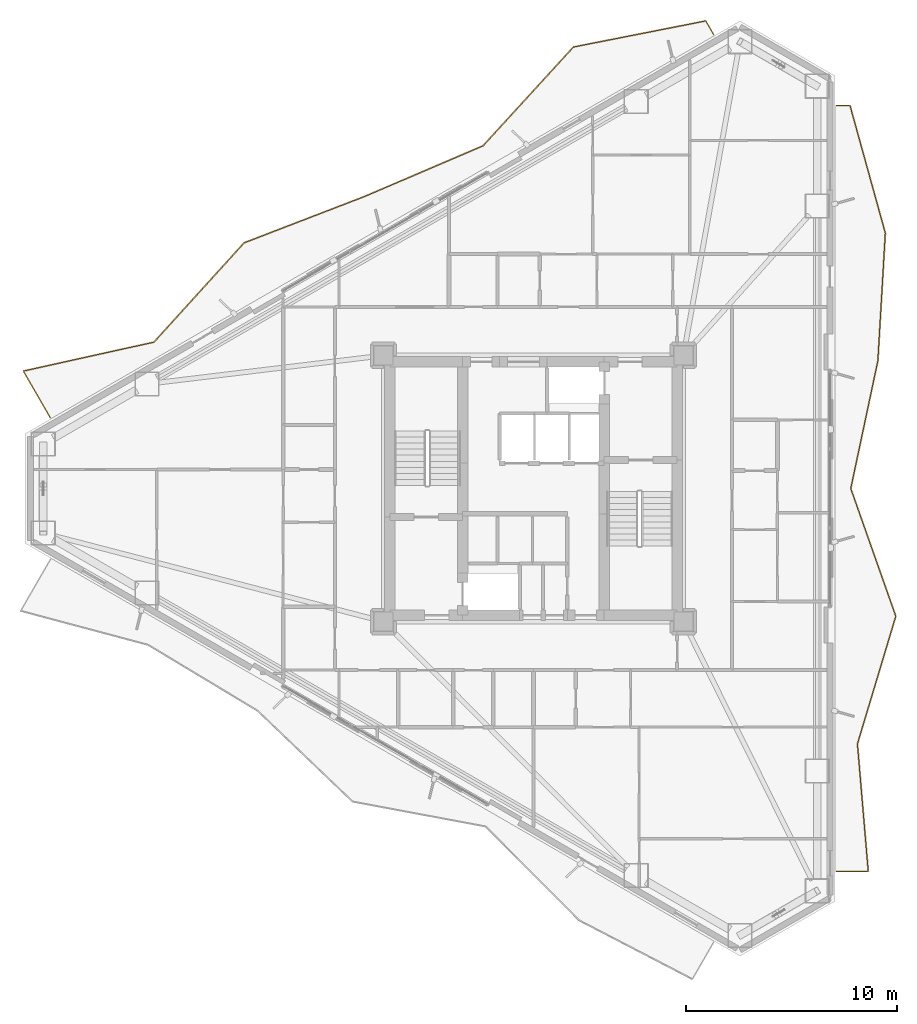
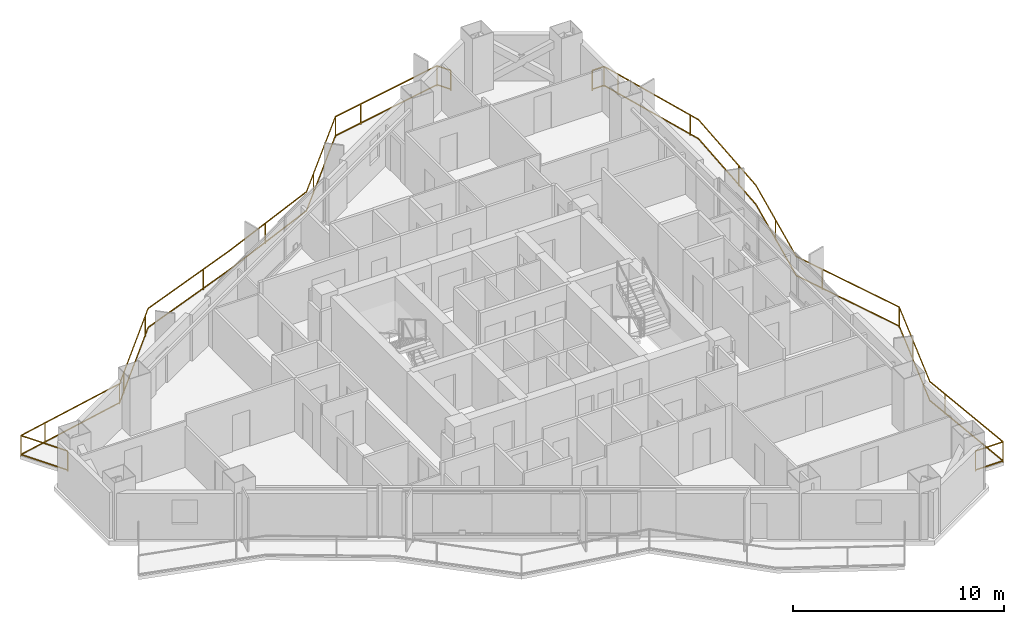
# One storey, part 23 of 23: 2 railings.
"""IFC4 building model written with IfcOpenShell, lengths in metres."""

from ifc_helpers import new_model, si_unit, direction, frame, origin, origin_2d, place, context, subcontext, project, spatial, rectangle, extrude, material, type_object, element, save


model = new_model("IFC4")

# Units and contexts
model_context = context("Model", 3, precision=1e-05, world=origin(), true_north=direction((0.0, 1.0)))
body_context = subcontext(model_context, "Body", "Model", "MODEL_VIEW")
ifc_project = project(units=[si_unit("LENGTHUNIT", "METRE"), si_unit("AREAUNIT", "SQUARE_METRE"), si_unit("VOLUMEUNIT", "CUBIC_METRE"), si_unit("PLANEANGLEUNIT", "RADIAN"), si_unit("MASSUNIT", "GRAM", prefix="KILO")], contexts=[model_context])

# Site, building, storey
site_placement = place(None, origin())
site = spatial("IfcSite", under=ifc_project, at=site_placement, CompositionType="ELEMENT")
building_placement = place(site_placement, origin())
building = spatial("IfcBuilding", under=site, at=building_placement, Name="Mersakhor Tower and Convention Hall", CompositionType="ELEMENT")
storey_placement = place(building_placement, frame((0.0, 0.0, 73.5)))
storey = spatial("IfcBuildingStorey", under=building, at=storey_placement, Name="L19", CompositionType="ELEMENT", Elevation=73.5)

# Railings
ifc_material = material(Name="Powder-coated galvanised steel and laminated glass balustrade", Category="steel")
railing_type = type_object("IfcRailingType", Name="RL-BAL-1200", PredefinedType="BALUSTRADE", material=ifc_material)
railing_1_placement = place(storey_placement, frame((37.541259765625, 48.2333984375, 0.0)))
element("IfcRailing", 1, at=railing_1_placement, inside=storey, type_object=railing_type, Name="L19 Sinusoidal Balcony Balustrade F1", PredefinedType="BALUSTRADE", context=body_context, shape_type="SweptSolid", body=[
    extrude(rectangle(XDim=0.048095703125, YDim=0.048095703125, at=origin_2d()), frame((0.0, 0.0, 1.17578125), z_axis=(-0.499852814723, 0.866110364569, 0.0), x_axis=(-0.866110364569, -0.499852814723, 0.0)), (0.0, 0.0, 1.0), 0.756591796875),
    extrude(rectangle(XDim=0.048095703125, YDim=0.048095703125, at=origin_2d()), frame((0.0, 0.0, 0.080078125), z_axis=(-0.499852814723, 0.866110364569, 0.0), x_axis=(-0.866110364569, -0.499852814723, 0.0)), (0.0, 0.0, 1.0), 0.756591796875),
    extrude(rectangle(XDim=0.048095703125, YDim=0.048095703125, at=origin_2d()), frame((-0.378173828125, 0.6552734375, 1.17578125), z_axis=(-0.981104772998, -0.193477193491, 0.0), x_axis=(0.193477193491, -0.981104772998, 0.0)), (0.0, 0.0, 1.0), 6.388671875),
    extrude(rectangle(XDim=0.048095703125, YDim=0.048095703125, at=origin_2d()), frame((-0.378173828125, 0.6552734375, 0.080078125), z_axis=(-0.981104772998, -0.193477193491, 0.0), x_axis=(0.193477193491, -0.981104772998, 0.0)), (0.0, 0.0, 1.0), 6.388671875),
    extrude(rectangle(XDim=0.048095703125, YDim=0.048095703125, at=origin_2d()), frame((-6.646240234375, -0.580810546875, 1.17578125), z_axis=(-0.675032190369, -0.737788277194, 0.0), x_axis=(0.737788277194, -0.675032190369, 0.0)), (0.0, 0.0, 1.0), 6.34130859375),
    extrude(rectangle(XDim=0.048095703125, YDim=0.048095703125, at=origin_2d()), frame((-6.646240234375, -0.580810546875, 0.080078125), z_axis=(-0.675032190369, -0.737788277194, 0.0), x_axis=(0.737788277194, -0.675032190369, 0.0)), (0.0, 0.0, 1.0), 6.34130859375),
    extrude(rectangle(XDim=0.048095703125, YDim=0.048095703125, at=origin_2d()), frame((-10.9267578125, -5.25927734375, 1.17578125), z_axis=(-0.919426820008, -0.393261137987, 0.0), x_axis=(0.393261137987, -0.919426820008, 0.0)), (0.0, 0.0, 1.0), 6.089599609375),
    extrude(rectangle(XDim=0.048095703125, YDim=0.048095703125, at=origin_2d()), frame((-10.9267578125, -5.25927734375, 0.080078125), z_axis=(-0.919426820008, -0.393261137987, 0.0), x_axis=(0.393261137987, -0.919426820008, 0.0)), (0.0, 0.0, 1.0), 6.089599609375),
    extrude(rectangle(XDim=0.048095703125, YDim=0.048095703125, at=origin_2d()), frame((-16.525634765625, -7.654052734375, 1.17578125), z_axis=(-0.933249966247, -0.3592276444, 0.0), x_axis=(0.3592276444, -0.933249966247, 0.0)), (0.0, 0.0, 1.0), 6.12060546875),
    extrude(rectangle(XDim=0.048095703125, YDim=0.048095703125, at=origin_2d()), frame((-16.525634765625, -7.654052734375, 0.080078125), z_axis=(-0.933249966247, -0.3592276444, 0.0), x_axis=(0.3592276444, -0.933249966247, 0.0)), (0.0, 0.0, 1.0), 6.12060546875),
    extrude(rectangle(XDim=0.048095703125, YDim=0.048095703125, at=origin_2d()), frame((-22.23779296875, -9.852783203125, 1.17578125), z_axis=(-0.672293710713, -0.740284517288, 0.0), x_axis=(0.740284517288, -0.672293710713, 0.0)), (0.0, 0.0, 1.0), 6.3486328125),
    extrude(rectangle(XDim=0.048095703125, YDim=0.048095703125, at=origin_2d()), frame((-22.23779296875, -9.852783203125, 0.080078125), z_axis=(-0.672293710713, -0.740284517288, 0.0), x_axis=(0.740284517288, -0.672293710713, 0.0)), (0.0, 0.0, 1.0), 6.3486328125),
    extrude(rectangle(XDim=0.048095703125, YDim=0.048095703125, at=origin_2d()), frame((-26.505859375, -14.552490234375, 1.17578125), z_axis=(-0.976273065037, -0.216543073043, 0.0), x_axis=(0.216543073043, -0.976273065037, 0.0)), (0.0, 0.0, 1.0), 6.339599609375),
    extrude(rectangle(XDim=0.048095703125, YDim=0.048095703125, at=origin_2d()), frame((-26.505859375, -14.552490234375, 0.080078125), z_axis=(-0.976273065037, -0.216543073043, 0.0), x_axis=(0.216543073043, -0.976273065037, 0.0)), (0.0, 0.0, 1.0), 6.339599609375),
    extrude(rectangle(XDim=0.048095703125, YDim=0.048095703125, at=origin_2d()), frame((-32.695068359375, -15.92529296875, 1.17578125), z_axis=(0.499981548585, -0.866036056452, 0.0), x_axis=(0.866036056452, 0.499981548585, 0.0)), (0.0, 0.0, 1.0), 2.5556640625),
    extrude(rectangle(XDim=0.048095703125, YDim=0.048095703125, at=origin_2d()), frame((-32.695068359375, -15.92529296875, 0.080078125), z_axis=(0.499981548585, -0.866036056452, 0.0), x_axis=(0.866036056452, 0.499981548585, 0.0)), (0.0, 0.0, 1.0), 2.5556640625),
    extrude(rectangle(XDim=0.0419921875, YDim=0.0419921875, at=origin_2d()), origin(), (0.0, 0.0, 1.0), 1.15185546875),
    extrude(rectangle(XDim=0.0419921875, YDim=0.0419921875, at=origin_2d()), frame((-0.378173828125, 0.6552734375, 0.0)), (0.0, 0.0, 1.0), 1.15185546875),
    extrude(rectangle(XDim=0.0419921875, YDim=0.0419921875, at=origin_2d()), frame((-5.08740234375, -0.2734375, 0.0)), (0.0, 0.0, 1.0), 1.15185546875),
    extrude(rectangle(XDim=0.0419921875, YDim=0.0419921875, at=origin_2d()), frame((-6.646240234375, -0.580810546875, 0.0)), (0.0, 0.0, 1.0), 1.15185546875),
    extrude(rectangle(XDim=0.0419921875, YDim=0.0419921875, at=origin_2d()), frame((-9.886474609375, -4.122314453125, 0.0)), (0.0, 0.0, 1.0), 1.15185546875),
    extrude(rectangle(XDim=0.0419921875, YDim=0.0419921875, at=origin_2d()), frame((-13.923095703125, -6.540771484375, 0.0)), (0.0, 0.0, 1.0), 1.15185546875),
    extrude(rectangle(XDim=0.0419921875, YDim=0.0419921875, at=origin_2d()), frame((-18.363525390625, -8.361572265625, 0.0)), (0.0, 0.0, 1.0), 1.15185546875),
    extrude(rectangle(XDim=0.0419921875, YDim=0.0419921875, at=origin_2d()), frame((-22.673828125, -10.3330078125, 0.0)), (0.0, 0.0, 1.0), 1.15185546875),
    extrude(rectangle(XDim=0.0419921875, YDim=0.0419921875, at=origin_2d()), frame((-25.90087890625, -13.88623046875, 0.0)), (0.0, 0.0, 1.0), 1.15185546875),
    extrude(rectangle(XDim=0.0419921875, YDim=0.0419921875, at=origin_2d()), frame((-26.505859375, -14.552490234375, 0.0)), (0.0, 0.0, 1.0), 1.15185546875),
    extrude(rectangle(XDim=0.0419921875, YDim=0.0419921875, at=origin_2d()), frame((-31.19189453125, -15.591796875, 0.0)), (0.0, 0.0, 1.0), 1.15185546875),
    extrude(rectangle(XDim=0.0419921875, YDim=0.0419921875, at=origin_2d()), frame((-32.695068359375, -15.92529296875, 0.0)), (0.0, 0.0, 1.0), 1.15185546875),
    extrude(rectangle(XDim=0.0419921875, YDim=0.0419921875, at=origin_2d()), frame((-31.417236328125, -18.138671875, 0.0)), (0.0, 0.0, 1.0), 1.15185546875),
])
railing_2_placement = place(storey_placement, frame((43.334716796875, 8.611328125, 0.0)))
element("IfcRailing", 2, at=railing_2_placement, inside=storey, type_object=railing_type, Name="L19 Sinusoidal Balcony Balustrade F2", PredefinedType="BALUSTRADE", context=body_context, shape_type="SweptSolid", body=[
    extrude(rectangle(XDim=0.048095703125, YDim=0.048095703125, at=origin_2d()), frame((0.0, 0.0, 1.17578125), z_axis=(1.0, 0.0, 0.0), x_axis=(0.0, 1.0, 0.0)), (0.0, 0.0, 1.0), 1.515625),
    extrude(rectangle(XDim=0.048095703125, YDim=0.048095703125, at=origin_2d()), frame((0.0, 0.0, 0.080078125), z_axis=(1.0, 0.0, 0.0), x_axis=(0.0, 1.0, 0.0)), (0.0, 0.0, 1.0), 1.515625),
    extrude(rectangle(XDim=0.048095703125, YDim=0.048095703125, at=origin_2d()), frame((1.515625, 0.0, 1.17578125), z_axis=(-0.084573753305, 0.996417221977, 0.0), x_axis=(-0.996417221977, -0.084573753305, 0.0)), (0.0, 0.0, 1.0), 6.06787109375),
    extrude(rectangle(XDim=0.048095703125, YDim=0.048095703125, at=origin_2d()), frame((1.515625, 0.0, 0.080078125), z_axis=(-0.084573753305, 0.996417221977, 0.0), x_axis=(-0.996417221977, -0.084573753305, 0.0)), (0.0, 0.0, 1.0), 6.06787109375),
    extrude(rectangle(XDim=0.048095703125, YDim=0.048095703125, at=origin_2d()), frame((1.00244140625, 6.046142578125, 1.17578125), z_axis=(0.287851606357, 0.957675024587, 0.0), x_axis=(-0.957675024587, 0.287851606357, 0.0)), (0.0, 0.0, 1.0), 6.313720703125),
    extrude(rectangle(XDim=0.048095703125, YDim=0.048095703125, at=origin_2d()), frame((1.00244140625, 6.046142578125, 0.080078125), z_axis=(0.287851606357, 0.957675024587, 0.0), x_axis=(-0.957675024587, 0.287851606357, 0.0)), (0.0, 0.0, 1.0), 6.313720703125),
    extrude(rectangle(XDim=0.048095703125, YDim=0.048095703125, at=origin_2d()), frame((2.81982421875, 12.092529296875, 1.17578125), z_axis=(-0.332732476496, 0.943021261205, 0.0), x_axis=(-0.943021261205, -0.332732476496, 0.0)), (0.0, 0.0, 1.0), 6.411376953125),
    extrude(rectangle(XDim=0.048095703125, YDim=0.048095703125, at=origin_2d()), frame((2.81982421875, 12.092529296875, 0.080078125), z_axis=(-0.332732476496, 0.943021261205, 0.0), x_axis=(-0.943021261205, -0.332732476496, 0.0)), (0.0, 0.0, 1.0), 6.411376953125),
    extrude(rectangle(XDim=0.048095703125, YDim=0.048095703125, at=origin_2d()), frame((0.6865234375, 18.138671875, 1.17578125), z_axis=(0.207724119027, 0.978187451552, 0.0), x_axis=(-0.978187451552, 0.207724119027, 0.0)), (0.0, 0.0, 1.0), 6.180908203125),
    extrude(rectangle(XDim=0.048095703125, YDim=0.048095703125, at=origin_2d()), frame((0.6865234375, 18.138671875, 0.080078125), z_axis=(0.207724119027, 0.978187451552, 0.0), x_axis=(-0.978187451552, 0.207724119027, 0.0)), (0.0, 0.0, 1.0), 6.180908203125),
    extrude(rectangle(XDim=0.048095703125, YDim=0.048095703125, at=origin_2d()), frame((1.970458984375, 24.184814453125, 1.17578125), z_axis=(0.05832740425, 0.998297507717, 0.0), x_axis=(-0.998297507717, 0.05832740425, 0.0)), (0.0, 0.0, 1.0), 6.056640625),
    extrude(rectangle(XDim=0.048095703125, YDim=0.048095703125, at=origin_2d()), frame((1.970458984375, 24.184814453125, 0.080078125), z_axis=(0.05832740425, 0.998297507717, 0.0), x_axis=(-0.998297507717, 0.05832740425, 0.0)), (0.0, 0.0, 1.0), 6.056640625),
    extrude(rectangle(XDim=0.048095703125, YDim=0.048095703125, at=origin_2d()), frame((2.32373046875, 30.231201171875, 1.17578125), z_axis=(-0.266806794124, 0.963750037411, 0.0), x_axis=(-0.963750037411, -0.266806794124, 0.0)), (0.0, 0.0, 1.0), 6.2734375),
    extrude(rectangle(XDim=0.048095703125, YDim=0.048095703125, at=origin_2d()), frame((2.32373046875, 30.231201171875, 0.080078125), z_axis=(-0.266806794124, 0.963750037411, 0.0), x_axis=(-0.963750037411, -0.266806794124, 0.0)), (0.0, 0.0, 1.0), 6.2734375),
    extrude(rectangle(XDim=0.048095703125, YDim=0.048095703125, at=origin_2d()), frame((0.64990234375, 36.27734375, 1.17578125), z_axis=(-1.0, 0.0, 0.0), x_axis=(0.0, -1.0, 0.0)), (0.0, 0.0, 1.0), 0.64990234375),
    extrude(rectangle(XDim=0.048095703125, YDim=0.048095703125, at=origin_2d()), frame((0.64990234375, 36.27734375, 0.080078125), z_axis=(-1.0, 0.0, 0.0), x_axis=(0.0, -1.0, 0.0)), (0.0, 0.0, 1.0), 0.64990234375),
    extrude(rectangle(XDim=0.0419921875, YDim=0.0419921875, at=origin_2d()), origin(), (0.0, 0.0, 1.0), 1.15185546875),
    extrude(rectangle(XDim=0.0419921875, YDim=0.0419921875, at=origin_2d()), frame((1.515625, 0.0, 0.0)), (0.0, 0.0, 1.0), 1.15185546875),
    extrude(rectangle(XDim=0.0419921875, YDim=0.0419921875, at=origin_2d()), frame((1.109619140625, 4.78271484375, 0.0)), (0.0, 0.0, 1.0), 1.15185546875),
    extrude(rectangle(XDim=0.0419921875, YDim=0.0419921875, at=origin_2d()), frame((2.019287109375, 9.4287109375, 0.0)), (0.0, 0.0, 1.0), 1.15185546875),
    extrude(rectangle(XDim=0.0419921875, YDim=0.0419921875, at=origin_2d()), frame((2.81982421875, 12.092529296875, 0.0)), (0.0, 0.0, 1.0), 1.15185546875),
    extrude(rectangle(XDim=0.0419921875, YDim=0.0419921875, at=origin_2d()), frame((1.22265625, 16.619140625, 0.0)), (0.0, 0.0, 1.0), 1.15185546875),
    extrude(rectangle(XDim=0.0419921875, YDim=0.0419921875, at=origin_2d()), frame((1.348876953125, 21.257568359375, 0.0)), (0.0, 0.0, 1.0), 1.15185546875),
    extrude(rectangle(XDim=0.0419921875, YDim=0.0419921875, at=origin_2d()), frame((2.075927734375, 25.9892578125, 0.0)), (0.0, 0.0, 1.0), 1.15185546875),
    extrude(rectangle(XDim=0.0419921875, YDim=0.0419921875, at=origin_2d()), frame((2.1767578125, 30.76220703125, 0.0)), (0.0, 0.0, 1.0), 1.15185546875),
    extrude(rectangle(XDim=0.0419921875, YDim=0.0419921875, at=origin_2d()), frame((0.89599609375, 35.38818359375, 0.0)), (0.0, 0.0, 1.0), 1.15185546875),
    extrude(rectangle(XDim=0.0419921875, YDim=0.0419921875, at=origin_2d()), frame((0.64990234375, 36.27734375, 0.0)), (0.0, 0.0, 1.0), 1.15185546875),
    extrude(rectangle(XDim=0.0419921875, YDim=0.0419921875, at=origin_2d()), frame((0.0, 36.27734375, 0.0)), (0.0, 0.0, 1.0), 1.15185546875),
])

save(model, "model.ifc")
